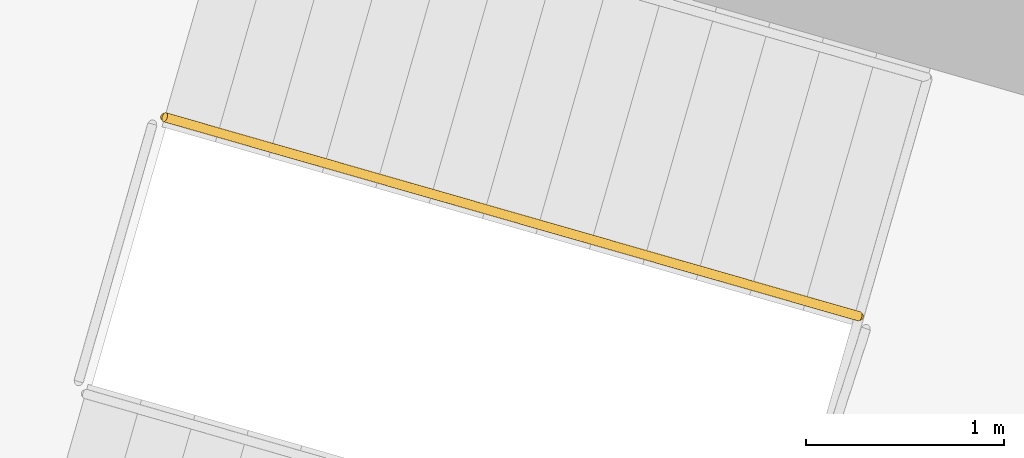
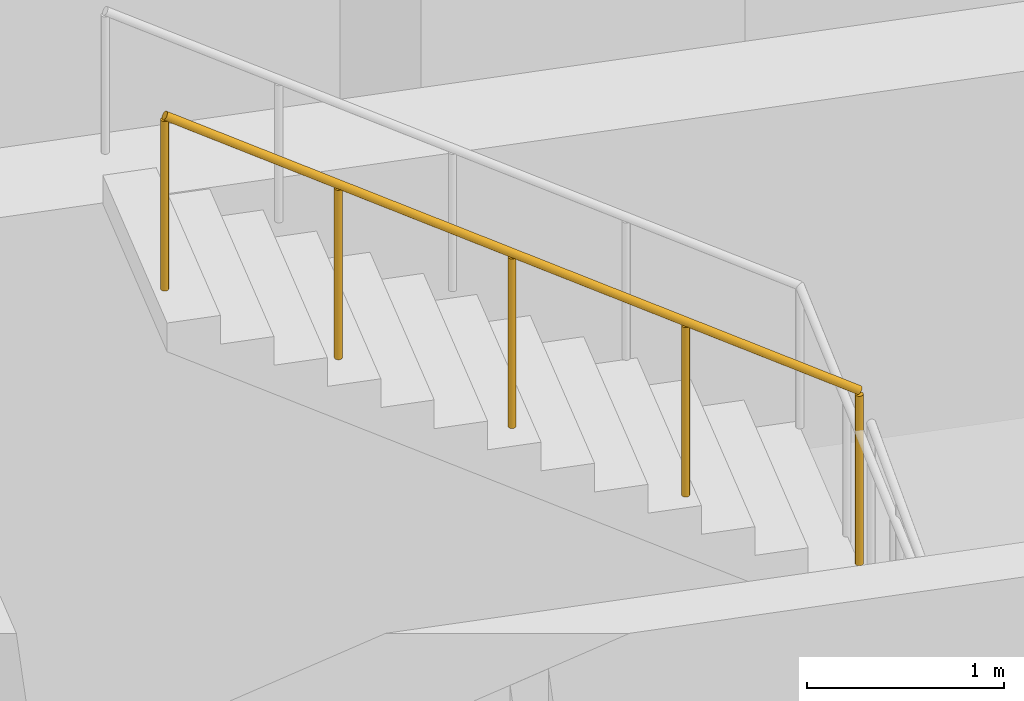
# One storey, part 18 of 18: 1 railing.
"""IFC4 building model written with IfcOpenShell, lengths in metres."""

from ifc_helpers import new_model, si_unit, direction, frame, origin, origin_2d, place, context, subcontext, project, spatial, circle, extrude, material, type_object, element, save


model = new_model("IFC4")

# Units and contexts
model_context = context("Model", 3, precision=1e-05, world=origin(), true_north=direction((0.0, 1.0)))
body_context = subcontext(model_context, "Body", "Model", "MODEL_VIEW")
ifc_project = project(units=[si_unit("LENGTHUNIT", "METRE"), si_unit("AREAUNIT", "SQUARE_METRE"), si_unit("VOLUMEUNIT", "CUBIC_METRE"), si_unit("PLANEANGLEUNIT", "RADIAN"), si_unit("MASSUNIT", "GRAM", prefix="KILO")], contexts=[model_context])

# Site, building, storey
site_placement = place(None, origin())
site = spatial("IfcSite", under=ifc_project, at=site_placement, CompositionType="ELEMENT")
building_placement = place(site_placement, origin())
building = spatial("IfcBuilding", under=site, at=building_placement, Name="Binnacle Exchange Tower", CompositionType="ELEMENT")
storey_placement = place(building_placement, frame((0.0, 0.0, 11.5)))
storey = spatial("IfcBuildingStorey", under=building, at=storey_placement, Name="L02", CompositionType="ELEMENT", Elevation=11.5)

# Railing
ifc_material = material(Name="Steel guard rail", Category="steel")
railing_type = type_object("IfcRailingType", Name="STAIR GUARD 1100", PredefinedType="GUARDRAIL", material=ifc_material)
railing_placement = place(storey_placement, frame((24.9853515625, 57.100830078125, 2.678466796875)))
element("IfcRailing", 1, at=railing_placement, inside=storey, type_object=railing_type, Name="L02 STD1 stair guard 2", PredefinedType="GUARDRAIL", context=body_context, shape_type="SweptSolid", body=[
    extrude(circle(Radius=0.02392578125, at=origin_2d()), frame((0.0, 0.0, 1.076171875), z_axis=(-0.810455892038, 0.232415135102, 0.537721537635), x_axis=(-0.275659984683, -0.961255206927, 0.0)), (0.0, 0.0, 1.0), 4.3173828125),
    extrude(circle(Radius=0.02099609375, at=origin_2d()), origin(), (0.0, 0.0, 1.0), 1.052001953125),
    extrude(circle(Radius=0.02099609375, at=origin_2d()), frame((-0.874755859375, 0.2509765625, 0.580322265625)), (0.0, 0.0, 1.0), 1.052001953125),
    extrude(circle(Radius=0.02099609375, at=origin_2d()), frame((-1.74951171875, 0.501708984375, 1.16064453125)), (0.0, 0.0, 1.0), 1.052001953125),
    extrude(circle(Radius=0.02099609375, at=origin_2d()), frame((-2.624267578125, 0.75244140625, 1.7412109375)), (0.0, 0.0, 1.0), 1.052001953125),
    extrude(circle(Radius=0.02099609375, at=origin_2d()), frame((-3.4990234375, 1.00341796875, 2.321533203125)), (0.0, 0.0, 1.0), 1.052001953125),
])

save(model, "model.ifc")
